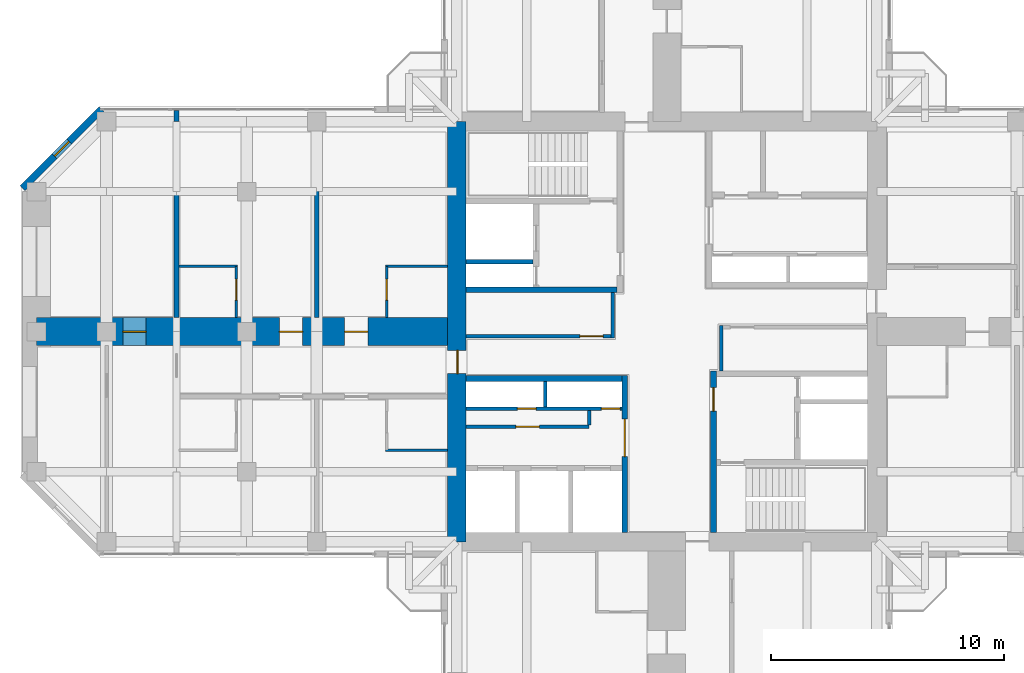
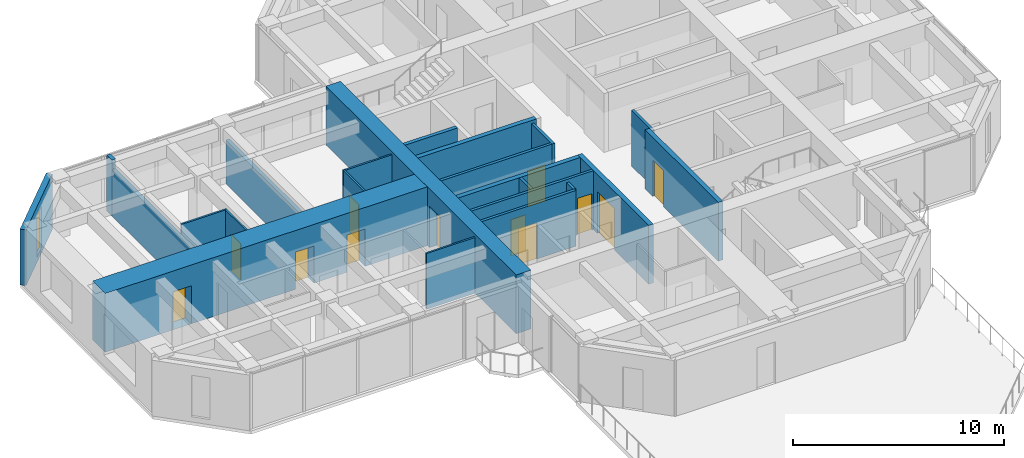
# One storey, part 9 of 14: 23 walls, 12 doors, 1 window, 13 openings.
"""IFC4 building model written with IfcOpenShell, lengths in metres."""

from ifc_helpers import new_model, si_unit, direction, frame, frame_2d, origin, place, context, subcontext, project, spatial, rectangle, hollow_rectangle, extrude, material, layer, layer_set, constituent, constituent_set, type_object, element, fill, save


model = new_model("IFC4")

# Units and contexts
model_context = context("Model", 3, precision=1e-05, world=origin(), true_north=direction((0.0, 1.0)))
body_context = subcontext(model_context, "Body", "Model", "MODEL_VIEW")
ifc_project = project(units=[si_unit("LENGTHUNIT", "METRE"), si_unit("AREAUNIT", "SQUARE_METRE"), si_unit("VOLUMEUNIT", "CUBIC_METRE"), si_unit("PLANEANGLEUNIT", "RADIAN"), si_unit("MASSUNIT", "GRAM", prefix="KILO")], contexts=[model_context])

# Site, building, storey
site_placement = place(None, origin())
site = spatial("IfcSite", under=ifc_project, at=site_placement, CompositionType="ELEMENT")
building_placement = place(site_placement, origin())
building = spatial("IfcBuilding", under=site, at=building_placement, Name="Torre Cruceta", CompositionType="ELEMENT")
storey_placement = place(building_placement, frame((0.0, 0.0, 222.10009765625)))
storey = spatial("IfcBuildingStorey", under=building, at=storey_placement, Name="L56", CompositionType="ELEMENT", Elevation=222.10009765625)

# Walls
ifc_material_1 = material(Name="Water-resistant plasterboard on steel studs", Category="steel")
ifc_layer_1 = layer(ifc_material_1, 0.10009765625)
ifc_layer_set_1 = layer_set([ifc_layer_1], Name="Water-resistant plasterboard on steel studs")
wall_type_1 = type_object("IfcWallType", Name="BATHROOM WALL 100", PredefinedType="PARTITIONING", material=ifc_layer_set_1)
for number, where, z_axis, x_axis, name in (
    (1, (-9.39990234375, -5.074951171875, 0.0), (0.0, 0.0, 1.0), (-1.0, 0.0, 0.0), "PT4 L56-W-U1LBB"),
    (2, (-9.39990234375, 2.800048828125, 0.0), (0.0, 0.0, 1.0), (-1.0, 0.0, 0.0), "PT4 L56-W-U1RBB"),
):
    element("IfcWall", number, at=place(storey_placement, frame(where, z_axis=z_axis, x_axis=x_axis)), inside=storey, type_object=wall_type_1, Name=name, PredefinedType="PARTITIONING", context=body_context, shape_type="SweptSolid", body=[
        extrude(rectangle(XDim=2.650146484375, YDim=0.10009765625, at=frame_2d((1.3251953125, 0.0))), origin(), (0.0, 0.0, 1.0), 3.219970703125),
    ])

# Wall, opening, door
wall_1_placement = place(storey_placement, frame((-12.0, 2.800048828125, 0.0), z_axis=(0.0, 0.0, 1.0), x_axis=(0.0, -1.0, 0.0)))
wall_1 = element("IfcWall", 3, at=wall_1_placement, inside=storey, type_object=wall_type_1, Name="PT4 L56-W-U1RBS", PredefinedType="PARTITIONING", context=body_context, shape_type="SweptSolid", body=[
    extrude(rectangle(XDim=2.199951171875, YDim=0.10009765625, at=frame_2d((1.10009765625, 0.0))), origin(), (0.0, 0.0, 1.0), 3.219970703125),
])
opening_1_placement = place(wall_1_placement, frame((0.550048828125, 0.0, 0.0)))
opening_1 = element("IfcOpeningElement", 4, at=opening_1_placement, cuts=wall_1, Name="Opening D7", PredefinedType="OPENING", context=body_context, shape_type="SweptSolid", body=[
    extrude(rectangle(XDim=0.89990234375, YDim=2.10009765625, at=frame_2d((0.449951171875, 1.050048828125))), frame((0.0, 0.06005859375, 0.0), z_axis=(0.0, -1.0, 0.0), x_axis=(1.0, 0.0, 0.0)), (0.0, 0.0, 1.0), 0.1201171875),
])
ifc_material_2 = material(Name="Timber door", Category="wood")
door_type_1 = type_object("IfcDoorType", Name="BATHROOM DOOR 900X2100", OperationType="SINGLE_SWING_LEFT", PredefinedType="DOOR", material=ifc_material_2)
door_1_placement = place(opening_1_placement, origin())
door_1 = element("IfcDoor", 5, at=door_1_placement, inside=storey, type_object=door_type_1, Name="D7 L56-W-U1RBS-D1", OperationType="SINGLE_SWING_LEFT", OverallHeight=2.10009765625, OverallWidth=0.89990234375, PredefinedType="DOOR", context=body_context, shape_type="SweptSolid", body=[
    extrude(rectangle(XDim=0.89990234375, YDim=2.10009765625, at=frame_2d((0.449951171875, 1.050048828125))), frame((0.0, 0.02490234375, 0.0), z_axis=(0.0, -1.0, 0.0), x_axis=(1.0, 0.0, 0.0)), (0.0, 0.0, 1.0), 0.050048828125),
])
fill(opening_1, door_1)

# Wall
wall_2_placement = place(storey_placement, frame((-18.39990234375, 2.800048828125, 0.0), z_axis=(0.0, 0.0, 1.0), x_axis=(-1.0, 0.0, 0.0)))
element("IfcWall", 6, at=wall_2_placement, inside=storey, type_object=wall_type_1, Name="PT4 L56-W-U2RBB", PredefinedType="PARTITIONING", context=body_context, shape_type="SweptSolid", body=[
    extrude(rectangle(XDim=2.5, YDim=0.10009765625, at=frame_2d((1.25, 0.0))), origin(), (0.0, 0.0, 1.0), 3.219970703125),
])

# Wall, opening, door
wall_3_placement = place(storey_placement, frame((-18.449951171875, 2.800048828125, 0.0), z_axis=(0.0, 0.0, 1.0), x_axis=(0.0, -1.0, 0.0)))
wall_3 = element("IfcWall", 7, at=wall_3_placement, inside=storey, type_object=wall_type_1, Name="PT4 L56-W-U2RBS", PredefinedType="PARTITIONING", context=body_context, shape_type="SweptSolid", body=[
    extrude(rectangle(XDim=2.199951171875, YDim=0.10009765625, at=frame_2d((1.10009765625, 0.0))), origin(), (0.0, 0.0, 1.0), 3.219970703125),
])
opening_2_placement = place(wall_3_placement, frame((0.550048828125, 0.0, 0.0)))
opening_2 = element("IfcOpeningElement", 8, at=opening_2_placement, cuts=wall_3, Name="Opening D7", PredefinedType="OPENING", context=body_context, shape_type="SweptSolid", body=[
    extrude(rectangle(XDim=0.89990234375, YDim=2.10009765625, at=frame_2d((0.449951171875, 1.050048828125))), frame((0.0, 0.06005859375, 0.0), z_axis=(0.0, -1.0, 0.0), x_axis=(1.0, 0.0, 0.0)), (0.0, 0.0, 1.0), 0.1201171875),
])
door_2_placement = place(opening_2_placement, frame((0.89990234375, 0.0, 0.0), z_axis=(0.0, 0.0, 1.0), x_axis=(-1.0, 0.0, 0.0)))
door_2 = element("IfcDoor", 9, at=door_2_placement, inside=storey, type_object=door_type_1, Name="D7 L56-W-U2RBS-D1", OperationType="SINGLE_SWING_RIGHT", OverallHeight=2.10009765625, OverallWidth=0.89990234375, PredefinedType="DOOR", context=body_context, shape_type="SweptSolid", body=[
    extrude(rectangle(XDim=0.89990234375, YDim=2.10009765625, at=frame_2d((0.449951171875, 1.050048828125))), frame((0.0, 0.025146484375, 0.0), z_axis=(0.0, -1.0, 0.0), x_axis=(1.0, 0.0, 0.0)), (0.0, 0.0, 1.0), 0.050048828125),
])
fill(opening_2, door_2)

# Wall
ifc_material_3 = material(Name="Concrete G60 (fck 60 MPa)", Category="concrete")
ifc_layer_2 = layer(ifc_material_3, 0.25)
ifc_layer_set_2 = layer_set([ifc_layer_2], Name="Concrete G60 (fck 60 MPa)")
wall_type_2 = type_object("IfcWallType", Name="CORE INNER WALL 250 G60", PredefinedType="SHEAR", material=ifc_layer_set_2)
wall_4_placement = place(storey_placement, frame((-2.125, 1.800048828125, 0.0), z_axis=(0.0, 0.0, 1.0), x_axis=(-1.0, 0.0, 0.0)))
element("IfcWall", 10, at=wall_4_placement, inside=storey, type_object=wall_type_2, Name="CW4 L56 NW-CV", PredefinedType="SHEAR", context=body_context, shape_type="SweptSolid", body=[
    extrude(rectangle(XDim=6.47509765625, YDim=0.25, at=frame_2d((3.237548828125, 0.0))), origin(), (0.0, 0.0, 1.0), 3.39990234375),
])

# Wall, opening, door
wall_5_placement = place(storey_placement, frame((-1.800048828125, -1.875, 0.0), z_axis=(0.0, 0.0, 1.0), x_axis=(0.0, -1.0, 0.0)))
wall_5 = element("IfcWall", 11, at=wall_5_placement, inside=storey, type_object=wall_type_2, Name="CW4 L56 SW-CU", PredefinedType="SHEAR", context=body_context, shape_type="SweptSolid", body=[
    extrude(rectangle(XDim=6.72509765625, YDim=0.25, at=frame_2d((3.362548828125, 0.0))), origin(), (0.0, 0.0, 1.0), 3.39990234375),
])
opening_3_placement = place(wall_5_placement, frame((1.875, 0.0, 0.0)))
opening_3 = element("IfcOpeningElement", 12, at=opening_3_placement, cuts=wall_5, Name="Opening D8", PredefinedType="OPENING", context=body_context, shape_type="SweptSolid", body=[
    extrude(rectangle(XDim=1.60009765625, YDim=2.39990234375, at=frame_2d((0.800048828125, 1.199951171875))), frame((0.0, 0.135009765625, 0.0), z_axis=(0.0, -1.0, 0.0), x_axis=(1.0, 0.0, 0.0)), (0.0, 0.0, 1.0), 0.27001953125),
])
ifc_material_4 = material(Name="Steel DX51D", Category="steel")
ifc_constituent_1 = constituent(ifc_material_4, Name="Leaf and frame")
ifc_material_5 = material(Name="Polyester powder coating", Category="paint")
ifc_constituent_2 = constituent(ifc_material_5, Name="Finish")
ifc_material_6 = material(Name="Fire-resisting glass", Category="glass")
ifc_constituent_3 = constituent(ifc_material_6, Name="Vision panel")
ifc_constituent_set_1 = constituent_set(constituents=[ifc_constituent_1, ifc_constituent_2, ifc_constituent_3], Name="Steel fire door with vision panels")
door_type_2 = type_object("IfcDoorType", Name="LIFT LOBBY DOUBLE DOOR 1600X2400", OperationType="DOUBLE_DOOR_DOUBLE_SWING", PredefinedType="DOOR", material=ifc_constituent_set_1)
door_3_placement = place(opening_3_placement, origin())
door_3 = element("IfcDoor", 13, at=door_3_placement, inside=storey, type_object=door_type_2, Name="D8 L56 SW-LOBBY", OperationType="DOUBLE_DOOR_DOUBLE_SWING", OverallHeight=2.39990234375, OverallWidth=1.60009765625, PredefinedType="DOOR", context=body_context, shape_type="SweptSolid", body=[
    extrude(rectangle(XDim=1.60009765625, YDim=2.39990234375, at=frame_2d((0.800048828125, 1.199951171875))), frame((0.0, 0.02490234375, 0.0), z_axis=(0.0, -1.0, 0.0), x_axis=(1.0, 0.0, 0.0)), (0.0, 0.0, 1.0), 0.050048828125),
])
fill(opening_3, door_3)

# Wall
wall_6_placement = place(storey_placement, frame((-1.925048828125, -2.0, 0.0), z_axis=(0.0, 0.0, 1.0), x_axis=(-1.0, 0.0, 0.0)))
element("IfcWall", 14, at=wall_6_placement, inside=storey, type_object=wall_type_2, Name="CW4 L56 SW-CV", PredefinedType="SHEAR", context=body_context, shape_type="SweptSolid", body=[
    extrude(rectangle(XDim=6.675048828125, YDim=0.25, at=frame_2d((3.33740234375, 0.0))), origin(), (0.0, 0.0, 1.0), 3.39990234375),
])

# Wall, opening, door
wall_7_placement = place(storey_placement, frame((2.0, -1.675048828125, 0.0), z_axis=(0.0, 0.0, 1.0), x_axis=(0.0, -1.0, 0.0)))
wall_7 = element("IfcWall", 15, at=wall_7_placement, inside=storey, type_object=wall_type_2, Name="CW4 L56 SE-CU", PredefinedType="SHEAR", context=body_context, shape_type="SweptSolid", body=[
    extrude(rectangle(XDim=6.925048828125, YDim=0.25, at=frame_2d((3.46240234375, 0.0))), origin(), (0.0, 0.0, 1.0), 3.39990234375),
])
opening_4_placement = place(wall_7_placement, frame((0.72509765625, 0.0, 0.0)))
opening_4 = element("IfcOpeningElement", 16, at=opening_4_placement, cuts=wall_7, Name="Opening D3", PredefinedType="OPENING", context=body_context, shape_type="SweptSolid", body=[
    extrude(rectangle(XDim=1.0, YDim=2.10009765625, at=frame_2d((0.5, 1.050048828125))), frame((0.0, 0.135009765625, 0.0), z_axis=(0.0, -1.0, 0.0), x_axis=(1.0, 0.0, 0.0)), (0.0, 0.0, 1.0), 0.27001953125),
])
ifc_material_7 = material(Name="Steel DX51D", Category="steel")
ifc_constituent_4 = constituent(ifc_material_7, Name="Leaf and frame")
ifc_material_8 = material(Name="Polyester powder coating", Category="paint")
ifc_constituent_5 = constituent(ifc_material_8, Name="Finish")
ifc_constituent_set_2 = constituent_set(constituents=[ifc_constituent_4, ifc_constituent_5], Name="Steel fire door")
door_type_3 = type_object("IfcDoorType", Name="FIRE DOOR 1000X2100", OperationType="SINGLE_SWING_LEFT", PredefinedType="DOOR", material=ifc_constituent_set_2)
door_4_placement = place(opening_4_placement, origin())
door_4 = element("IfcDoor", 17, at=door_4_placement, inside=storey, type_object=door_type_3, Name="D3 L56 SE-LOBBY", OperationType="SINGLE_SWING_LEFT", OverallHeight=2.10009765625, OverallWidth=1.0, PredefinedType="DOOR", context=body_context, shape_type="SweptSolid", body=[
    extrude(rectangle(XDim=1.0, YDim=2.10009765625, at=frame_2d((0.5, 1.050048828125))), frame((0.0, 0.02490234375, 0.0), z_axis=(0.0, -1.0, 0.0), x_axis=(1.0, 0.0, 0.0)), (0.0, 0.0, 1.0), 0.050048828125),
])
fill(opening_4, door_4)

ifc_material_9 = material(Name="Concrete G60 (fck 60 MPa)", Category="concrete")
ifc_layer_3 = layer(ifc_material_9, 0.800048828125)
ifc_layer_set_3 = layer_set([ifc_layer_3], Name="Concrete G60 (fck 60 MPa)")
wall_type_3 = type_object("IfcWallType", Name="CORE WALL 800 G60", PredefinedType="SHEAR", material=ifc_layer_set_3)
wall_8_placement = place(storey_placement, frame((-9.0, 9.0, 0.0), z_axis=(0.0, 0.0, 1.0), x_axis=(0.0, -1.0, 0.0)))
wall_8 = element("IfcWall", 18, at=wall_8_placement, inside=storey, type_object=wall_type_3, Name="CW3 L56 CW-W", PredefinedType="SHEAR", context=body_context, shape_type="SweptSolid", body=[
    extrude(rectangle(XDim=18.0, YDim=0.800048828125, at=frame_2d((9.0, 0.0))), origin(), (0.0, 0.0, 1.0), 3.39990234375),
])
opening_5_placement = place(wall_8_placement, frame((9.800048828125, 0.0, 0.0)))
opening_5 = element("IfcOpeningElement", 19, at=opening_5_placement, cuts=wall_8, Name="Opening D4", PredefinedType="OPENING", context=body_context, shape_type="SweptSolid", body=[
    extrude(rectangle(XDim=1.0, YDim=2.39990234375, at=frame_2d((0.5, 1.199951171875))), frame((0.0, 0.409912109375, 0.0), z_axis=(0.0, -1.0, 0.0), x_axis=(1.0, 0.0, 0.0)), (0.0, 0.0, 1.0), 0.820068359375),
])
ifc_material_10 = material(Name="Steel DX51D", Category="steel")
ifc_constituent_6 = constituent(ifc_material_10, Name="Leaf and frame")
ifc_material_11 = material(Name="Polyester powder coating", Category="paint")
ifc_constituent_7 = constituent(ifc_material_11, Name="Finish")
ifc_constituent_set_3 = constituent_set(constituents=[ifc_constituent_6, ifc_constituent_7], Name="Steel fire door")
door_type_4 = type_object("IfcDoorType", Name="CORE ARM DOOR 1000X2400", OperationType="SINGLE_SWING_RIGHT", PredefinedType="DOOR", material=ifc_constituent_set_3)
door_5_placement = place(opening_5_placement, origin())
door_5 = element("IfcDoor", 20, at=door_5_placement, inside=storey, type_object=door_type_4, Name="D4 L56 CW-W", OperationType="SINGLE_SWING_RIGHT", OverallHeight=2.39990234375, OverallWidth=1.0, PredefinedType="DOOR", context=body_context, shape_type="SweptSolid", body=[
    extrude(rectangle(XDim=1.0, YDim=2.39990234375, at=frame_2d((0.5, 1.199951171875))), frame((0.0, 0.05517578125, 0.0), z_axis=(0.0, -1.0, 0.0), x_axis=(1.0, 0.0, 0.0)), (0.0, 0.0, 1.0), 0.050048828125),
])
fill(opening_5, door_5)

# Wall, opening, window
ifc_material_12 = material(Name="Concrete G30 (fck 30 MPa)", Category="concrete")
ifc_layer_4 = layer(ifc_material_12, 0.300048828125)
ifc_layer_set_4 = layer_set([ifc_layer_4], Name="Concrete G30 (fck 30 MPa)")
wall_type_4 = type_object("IfcWallType", Name="EXPOSED CONCRETE FACADE WALL 300", PredefinedType="SOLIDWALL", material=ifc_layer_set_4)
wall_9_placement = place(storey_placement, frame((-24.21533203125, 9.52001953125, 0.0), z_axis=(0.0, 0.0, 1.0), x_axis=(-0.707132283189, -0.707081278264, 0.0)))
wall_9 = element("IfcWall", 21, at=wall_9_placement, inside=storey, type_object=wall_type_4, Name="EW1 facade wall L56 W chamfer 11", PredefinedType="SOLIDWALL", context=body_context, shape_type="SweptSolid", body=[
    extrude(rectangle(XDim=4.78662109375, YDim=0.300048828125, at=frame_2d((2.393310546875, 0.0))), origin(), (0.0, 0.0, 1.0), 3.219970703125),
])
opening_6_placement = place(wall_9_placement, frame((1.943359375, 0.0, 0.300048828125)))
opening_6 = element("IfcOpeningElement", 22, at=opening_6_placement, cuts=wall_9, Name="Opening WN5", PredefinedType="OPENING", context=body_context, shape_type="SweptSolid", body=[
    extrude(rectangle(XDim=0.89990234375, YDim=2.39990234375, at=frame_2d((0.449951171875, 1.199951171875))), frame((0.0, 0.159912109375, 0.0), z_axis=(0.0, -1.0, 0.0), x_axis=(1.0, 0.0, 0.0)), (0.0, 0.0, 1.0), 0.320068359375),
])
ifc_material_13 = material(Name="Aluminium window frame", Category="aluminium")
ifc_constituent_8 = constituent(ifc_material_13, Name="Frame")
ifc_material_14 = material(Name="Laminated insulating glass unit, low-iron clear", Category="glass")
ifc_constituent_9 = constituent(ifc_material_14, Name="Glazing")
ifc_constituent_set_4 = constituent_set(constituents=[ifc_constituent_8, ifc_constituent_9], Name="Aluminium window")
window_type = type_object("IfcWindowType", Name="CHAMFER SLOT WINDOW 900X2400", PartitioningType="SINGLE_PANEL", PredefinedType="WINDOW", material=ifc_constituent_set_4)
window_placement = place(opening_6_placement, origin())
window = element("IfcWindow", 23, at=window_placement, inside=storey, type_object=window_type, Name="WN5 L56 W 1", OverallHeight=2.39990234375, OverallWidth=0.89990234375, PartitioningType="SINGLE_PANEL", PredefinedType="WINDOW", context=body_context, shape_type="SweptSolid", body=[
    extrude(hollow_rectangle(XDim=0.89990234375, YDim=2.39990234375, WallThickness=0.06005859375, at=frame_2d((0.449951171875, 1.199951171875))), frame((0.0, 0.030029296875, 0.0), z_axis=(0.0, -1.0, 0.0), x_axis=(1.0, 0.0, 0.0)), (0.0, 0.0, 1.0), 0.06005859375),
    extrude(rectangle(XDim=0.77880859375, YDim=2.27880859375, at=frame_2d((0.449951171875, 1.199951171875))), frame((0.0, 0.030029296875, 0.0), z_axis=(0.0, -1.0, 0.0), x_axis=(1.0, 0.0, 0.0)), (0.0, 0.0, 1.0), 0.06005859375),
])
fill(opening_6, window)

# Walls
ifc_material_15 = material(Name="Concrete G35 (fck 35 MPa)", Category="concrete")
ifc_layer_5 = layer(ifc_material_15, 0.199951171875)
ifc_layer_set_5 = layer_set([ifc_layer_5], Name="Concrete G35 (fck 35 MPa)")
wall_type_5 = type_object("IfcWallType", Name="LIFT SHAFT WALL 200", PredefinedType="PARTITIONING", material=ifc_layer_set_5)
wall_10_placement = place(storey_placement, frame((-5.72509765625, 3.0, 0.0), z_axis=(0.0, 0.0, 1.0), x_axis=(-1.0, 0.0, 0.0)))
element("IfcWall", 24, at=wall_10_placement, inside=storey, type_object=wall_type_5, Name="SW1 L56 NW-FR", PredefinedType="PARTITIONING", context=body_context, shape_type="SweptSolid", body=[
    extrude(rectangle(XDim=2.875, YDim=0.199951171875, at=frame_2d((1.4375, 0.0))), origin(), (0.0, 0.0, 1.0), 3.39990234375),
])
ifc_material_16 = material(Name="Plasterboard on steel studs", Category="steel")
ifc_layer_6 = layer(ifc_material_16, 0.14990234375)
ifc_layer_set_6 = layer_set([ifc_layer_6], Name="Plasterboard on steel studs")
wall_type_6 = type_object("IfcWallType", Name="PARTITION 150", PredefinedType="PARTITIONING", material=ifc_layer_set_6)
wall_11_placement = place(storey_placement, frame((2.324951171875, -1.675048828125, 0.0), z_axis=(0.0, 0.0, 1.0), x_axis=(0.0, 1.0, 0.0)))
element("IfcWall", 25, at=wall_11_placement, inside=storey, type_object=wall_type_6, Name="PT1 L56-CORE-LEGE-S-W2", PredefinedType="PARTITIONING", context=body_context, shape_type="SweptSolid", body=[
    extrude(rectangle(XDim=1.949951171875, YDim=0.14990234375, at=frame_2d((0.97509765625, 0.0))), origin(), (0.0, 0.0, 1.0), 3.219970703125),
])

# Wall, opening, door
wall_12_placement = place(storey_placement, frame((-2.324951171875, -0.199951171875, 0.0), z_axis=(0.0, 0.0, 1.0), x_axis=(-1.0, 0.0, 0.0)))
wall_12 = element("IfcWall", 26, at=wall_12_placement, inside=storey, type_object=wall_type_6, Name="PT1 L56-CORE-LEGW-N-W1", PredefinedType="PARTITIONING", context=body_context, shape_type="SweptSolid", body=[
    extrude(rectangle(XDim=6.275146484375, YDim=0.14990234375, at=frame_2d((3.1376953125, 0.0))), origin(), (0.0, 0.0, 1.0), 3.219970703125),
])
opening_7_placement = place(wall_12_placement, frame((0.39990234375, 0.0, 0.0)))
opening_7 = element("IfcOpeningElement", 27, at=opening_7_placement, cuts=wall_12, Name="Opening D3", PredefinedType="OPENING", context=body_context, shape_type="SweptSolid", body=[
    extrude(rectangle(XDim=1.0, YDim=2.10009765625, at=frame_2d((0.5, 1.050048828125))), frame((0.0, 0.0849609375, 0.0), z_axis=(0.0, -1.0, 0.0), x_axis=(1.0, 0.0, 0.0)), (0.0, 0.0, 1.0), 0.169921875),
])
door_6_placement = place(opening_7_placement, frame((1.0, 0.0, 0.0), z_axis=(0.0, 0.0, 1.0), x_axis=(-1.0, 0.0, 0.0)))
door_6 = element("IfcDoor", 28, at=door_6_placement, inside=storey, type_object=door_type_3, Name="D3 L56-CORE-LEGW-N-W1-D1", OperationType="SINGLE_SWING_RIGHT", OverallHeight=2.10009765625, OverallWidth=1.0, PredefinedType="DOOR", context=body_context, shape_type="SweptSolid", body=[
    extrude(rectangle(XDim=1.0, YDim=2.10009765625, at=frame_2d((0.5, 1.050048828125))), frame((0.0, 0.025146484375, 0.0), z_axis=(0.0, -1.0, 0.0), x_axis=(1.0, 0.0, 0.0)), (0.0, 0.0, 1.0), 0.050048828125),
])
fill(opening_7, door_6)

# Wall
wall_13_placement = place(storey_placement, frame((-2.324951171875, 1.675048828125, 0.0), z_axis=(0.0, 0.0, 1.0), x_axis=(0.0, -1.0, 0.0)))
element("IfcWall", 29, at=wall_13_placement, inside=storey, type_object=wall_type_6, Name="PT1 L56-CORE-LEGW-N-W2", PredefinedType="PARTITIONING", context=body_context, shape_type="SweptSolid", body=[
    extrude(rectangle(XDim=1.949951171875, YDim=0.14990234375, at=frame_2d((0.97509765625, 0.0))), origin(), (0.0, 0.0, 1.0), 3.219970703125),
])

# Wall, opening, door
wall_14_placement = place(storey_placement, frame((-3.324951171875, -4.074951171875, 0.0), z_axis=(0.0, 0.0, 1.0), x_axis=(-1.0, 0.0, 0.0)))
wall_14 = element("IfcWall", 30, at=wall_14_placement, inside=storey, type_object=wall_type_6, Name="PT1 L56-CORE-SW-CUPBOARD", PredefinedType="PARTITIONING", context=body_context, shape_type="SweptSolid", body=[
    extrude(rectangle(XDim=5.275146484375, YDim=0.14990234375, at=frame_2d((2.6376953125, 0.0))), origin(), (0.0, 0.0, 1.0), 3.219970703125),
])
opening_8_placement = place(wall_14_placement, frame((2.137451171875, 0.0, 0.0)))
opening_8 = element("IfcOpeningElement", 31, at=opening_8_placement, cuts=wall_14, Name="Opening D19", PredefinedType="OPENING", context=body_context, shape_type="SweptSolid", body=[
    extrude(rectangle(XDim=1.0, YDim=2.10009765625, at=frame_2d((0.5, 1.050048828125))), frame((0.0, 0.0849609375, 0.0), z_axis=(0.0, -1.0, 0.0), x_axis=(1.0, 0.0, 0.0)), (0.0, 0.0, 1.0), 0.169921875),
])
ifc_material_17 = material(Name="Timber fire door", Category="wood")
door_type_5 = type_object("IfcDoorType", Name="CUPBOARD PAIR OF DOORS 1000X2100", OperationType="DOUBLE_DOOR_SINGLE_SWING", PredefinedType="DOOR", material=ifc_material_17)
door_7_placement = place(opening_8_placement, frame((1.0, 0.0, 0.0), z_axis=(0.0, 0.0, 1.0), x_axis=(-1.0, 0.0, 0.0)))
door_7 = element("IfcDoor", 32, at=door_7_placement, inside=storey, type_object=door_type_5, Name="D19 L56-CORE-SW-CUPBOARD-D1", OperationType="DOUBLE_DOOR_SINGLE_SWING", OverallHeight=2.10009765625, OverallWidth=1.0, PredefinedType="DOOR", context=body_context, shape_type="SweptSolid", body=[
    extrude(rectangle(XDim=1.0, YDim=2.10009765625, at=frame_2d((0.5, 1.050048828125))), frame((0.0, 0.025146484375, 0.0), z_axis=(0.0, -1.0, 0.0), x_axis=(1.0, 0.0, 0.0)), (0.0, 0.0, 1.0), 0.050048828125),
])
fill(opening_8, door_7)

# Wall
wall_15_placement = place(storey_placement, frame((-3.324951171875, -3.375, 0.0), z_axis=(0.0, 0.0, 1.0), x_axis=(0.0, -1.0, 0.0)))
element("IfcWall", 33, at=wall_15_placement, inside=storey, type_object=wall_type_6, Name="PT1 L56-CORE-SW-CUPBOARDE", PredefinedType="PARTITIONING", context=body_context, shape_type="SweptSolid", body=[
    extrude(rectangle(XDim=0.625, YDim=0.14990234375, at=frame_2d((0.3125, 0.0))), origin(), (0.0, 0.0, 1.0), 3.219970703125),
])

# Wall, openings, doors
ifc_material_18 = material(Name="Concrete block masonry", Category="masonry")
ifc_layer_7 = layer(ifc_material_18, 0.14990234375)
ifc_layer_set_7 = layer_set([ifc_layer_7], Name="Concrete block masonry")
wall_type_7 = type_object("IfcWallType", Name="RISER WALL 150", PredefinedType="PARTITIONING", material=ifc_layer_set_7)
wall_16_placement = place(storey_placement, frame((-1.925048828125, -3.300048828125, 0.0), z_axis=(0.0, 0.0, 1.0), x_axis=(-1.0, 0.0, 0.0)))
wall_16 = element("IfcWall", 34, at=wall_16_placement, inside=storey, type_object=wall_type_7, Name="SW7 L56 SW-RV", PredefinedType="PARTITIONING", context=body_context, shape_type="SweptSolid", body=[
    extrude(rectangle(XDim=6.675048828125, YDim=0.14990234375, at=frame_2d((3.33740234375, 0.0))), origin(), (0.0, 0.0, 1.0), 3.39990234375),
])
opening_9_placement = place(wall_16_placement, frame((0.074951171875, 0.0, 0.0)))
opening_9 = element("IfcOpeningElement", 35, at=opening_9_placement, cuts=wall_16, Name="Opening D5", PredefinedType="OPENING", context=body_context, shape_type="SweptSolid", body=[
    extrude(rectangle(XDim=0.800048828125, YDim=2.10009765625, at=frame_2d((0.39990234375, 1.050048828125))), frame((0.0, 0.0849609375, 0.0), z_axis=(0.0, -1.0, 0.0), x_axis=(1.0, 0.0, 0.0)), (0.0, 0.0, 1.0), 0.169921875),
])
opening_10_placement = place(wall_16_placement, frame((3.675048828125, 0.0, 0.0)))
opening_10 = element("IfcOpeningElement", 36, at=opening_10_placement, cuts=wall_16, Name="Opening D5", PredefinedType="OPENING", context=body_context, shape_type="SweptSolid", body=[
    extrude(rectangle(XDim=0.800048828125, YDim=2.10009765625, at=frame_2d((0.39990234375, 1.050048828125))), frame((0.0, 0.0849609375, 0.0), z_axis=(0.0, -1.0, 0.0), x_axis=(1.0, 0.0, 0.0)), (0.0, 0.0, 1.0), 0.169921875),
])
ifc_material_19 = material(Name="Steel DX51D", Category="steel")
ifc_constituent_10 = constituent(ifc_material_19, Name="Leaf and frame")
ifc_material_20 = material(Name="Polyester powder coating", Category="paint")
ifc_constituent_11 = constituent(ifc_material_20, Name="Finish")
ifc_constituent_set_5 = constituent_set(constituents=[ifc_constituent_10, ifc_constituent_11], Name="Steel fire door")
door_type_6 = type_object("IfcDoorType", Name="RISER ACCESS DOOR 800X2100", OperationType="SINGLE_SWING_LEFT", PredefinedType="DOOR", material=ifc_constituent_set_5)
door_8_placement = place(opening_9_placement, frame((0.800048828125, 0.0, 0.0), z_axis=(0.0, 0.0, 1.0), x_axis=(-1.0, 0.0, 0.0)))
door_8 = element("IfcDoor", 37, at=door_8_placement, inside=storey, type_object=door_type_6, Name="D5 L56 SW-RISER1", OperationType="SINGLE_SWING_RIGHT", OverallHeight=2.10009765625, OverallWidth=0.800048828125, PredefinedType="DOOR", context=body_context, shape_type="SweptSolid", body=[
    extrude(rectangle(XDim=0.800048828125, YDim=2.10009765625, at=frame_2d((0.400146484375, 1.050048828125))), frame((0.0, 0.025146484375, 0.0), z_axis=(0.0, -1.0, 0.0), x_axis=(1.0, 0.0, 0.0)), (0.0, 0.0, 1.0), 0.050048828125),
])
fill(opening_9, door_8)
door_9_placement = place(opening_10_placement, frame((0.800048828125, 0.0, 0.0), z_axis=(0.0, 0.0, 1.0), x_axis=(-1.0, 0.0, 0.0)))
door_9 = element("IfcDoor", 38, at=door_9_placement, inside=storey, type_object=door_type_6, Name="D5 L56 SW-RISER2", OperationType="SINGLE_SWING_RIGHT", OverallHeight=2.10009765625, OverallWidth=0.800048828125, PredefinedType="DOOR", context=body_context, shape_type="SweptSolid", body=[
    extrude(rectangle(XDim=0.800048828125, YDim=2.10009765625, at=frame_2d((0.400146484375, 1.050048828125))), frame((0.0, 0.025146484375, 0.0), z_axis=(0.0, -1.0, 0.0), x_axis=(1.0, 0.0, 0.0)), (0.0, 0.0, 1.0), 0.050048828125),
])
fill(opening_10, door_9)

# Wall
wall_17_placement = place(storey_placement, frame((-5.199951171875, -2.125, 0.0), z_axis=(0.0, 0.0, 1.0), x_axis=(0.0, -1.0, 0.0)))
element("IfcWall", 39, at=wall_17_placement, inside=storey, type_object=wall_type_7, Name="SW7 L56 SW-RU", PredefinedType="PARTITIONING", context=body_context, shape_type="SweptSolid", body=[
    extrude(rectangle(XDim=1.10009765625, YDim=0.14990234375, at=frame_2d((0.550048828125, 0.0))), origin(), (0.0, 0.0, 1.0), 3.39990234375),
])

# Wall, openings, doors
ifc_material_21 = material(Name="Concrete G60 (fck 60 MPa)", Category="concrete")
ifc_layer_8 = layer(ifc_material_21, 1.199951171875)
ifc_layer_set_8 = layer_set([ifc_layer_8], Name="Concrete G60 (fck 60 MPa)")
wall_type_8 = type_object("IfcWallType", Name="SPINE WALL 1200 G60", PredefinedType="SHEAR", material=ifc_layer_set_8)
wall_18_placement = place(storey_placement, frame((-9.0, 0.0, 0.0), z_axis=(0.0, 0.0, 1.0), x_axis=(-1.0, 0.0, 0.0)))
wall_18 = element("IfcWall", 40, at=wall_18_placement, inside=storey, type_object=wall_type_8, Name="SW3 spine wall L56 W", PredefinedType="SHEAR", context=body_context, shape_type="SweptSolid", body=[
    extrude(rectangle(XDim=18.0, YDim=1.199951171875, at=frame_2d((9.0, 0.0))), origin(), (0.0, 0.0, 1.0), 3.39990234375),
])
opening_11_placement = place(wall_18_placement, frame((3.800048828125, 0.0, 0.0)))
opening_11 = element("IfcOpeningElement", 41, at=opening_11_placement, cuts=wall_18, Name="Opening D6", PredefinedType="OPENING", context=body_context, shape_type="SweptSolid", body=[
    extrude(rectangle(XDim=1.0, YDim=2.14990234375, at=frame_2d((0.5, 1.074951171875))), frame((0.0, 0.60986328125, 0.0), z_axis=(0.0, -1.0, 0.0), x_axis=(1.0, 0.0, 0.0)), (0.0, 0.0, 1.0), 1.219970703125),
])
opening_12_placement = place(wall_18_placement, frame((6.60009765625, 0.0, 0.0)))
opening_12 = element("IfcOpeningElement", 42, at=opening_12_placement, cuts=wall_18, Name="Opening D6", PredefinedType="OPENING", context=body_context, shape_type="SweptSolid", body=[
    extrude(rectangle(XDim=1.0, YDim=2.14990234375, at=frame_2d((0.5, 1.074951171875))), frame((0.0, 0.60986328125, 0.0), z_axis=(0.0, -1.0, 0.0), x_axis=(1.0, 0.0, 0.0)), (0.0, 0.0, 1.0), 1.219970703125),
])
opening_13_placement = place(wall_18_placement, frame((13.300048828125, 0.0, 0.0)))
opening_13 = element("IfcOpeningElement", 43, at=opening_13_placement, cuts=wall_18, Name="Opening D14", PredefinedType="OPENING", context=body_context, shape_type="SweptSolid", body=[
    extrude(rectangle(XDim=1.0, YDim=2.199951171875, at=frame_2d((0.5, 1.10009765625))), frame((0.0, 0.60986328125, 0.0), z_axis=(0.0, -1.0, 0.0), x_axis=(1.0, 0.0, 0.0)), (0.0, 0.0, 1.0), 1.219970703125),
])
ifc_material_22 = material(Name="Steel DX51D", Category="steel")
ifc_constituent_12 = constituent(ifc_material_22, Name="Leaf and frame")
ifc_material_23 = material(Name="Polyester powder coating", Category="paint")
ifc_constituent_13 = constituent(ifc_material_23, Name="Finish")
ifc_material_24 = material(Name="Fire-resisting glass", Category="glass")
ifc_constituent_14 = constituent(ifc_material_24, Name="Vision panel")
ifc_constituent_set_6 = constituent_set(constituents=[ifc_constituent_12, ifc_constituent_13, ifc_constituent_14], Name="Steel fire door with vision panel")
door_type_7 = type_object("IfcDoorType", Name="FIRE DOOR VISION PANEL 1000X2200", OperationType="SINGLE_SWING_RIGHT", PredefinedType="DOOR", material=ifc_constituent_set_6)
door_10_placement = place(opening_13_placement, origin())
door_10 = element("IfcDoor", 44, at=door_10_placement, inside=storey, type_object=door_type_7, Name="D14 L56-W-SP3", OperationType="SINGLE_SWING_RIGHT", OverallHeight=2.199951171875, OverallWidth=1.0, PredefinedType="DOOR", context=body_context, shape_type="SweptSolid", body=[
    extrude(rectangle(XDim=1.0, YDim=2.199951171875, at=frame_2d((0.5, 1.10009765625))), frame((0.0, 0.02490234375, 0.0), z_axis=(0.0, -1.0, 0.0), x_axis=(1.0, 0.0, 0.0)), (0.0, 0.0, 1.0), 0.050048828125),
])
fill(opening_13, door_10)
ifc_material_25 = material(Name="Timber fire door", Category="wood")
door_type_8 = type_object("IfcDoorType", Name="UNIT ENTRANCE DOOR 1000X2150", OperationType="SINGLE_SWING_LEFT", PredefinedType="DOOR", material=ifc_material_25)
door_11_placement = place(opening_11_placement, frame((1.0, 0.0, 0.0), z_axis=(0.0, 0.0, 1.0), x_axis=(-1.0, 0.0, 0.0)))
door_11 = element("IfcDoor", 45, at=door_11_placement, inside=storey, type_object=door_type_8, Name="D6 L56-W-SP1", OperationType="SINGLE_SWING_RIGHT", OverallHeight=2.14990234375, OverallWidth=1.0, PredefinedType="DOOR", context=body_context, shape_type="SweptSolid", body=[
    extrude(rectangle(XDim=1.0, YDim=2.14990234375, at=frame_2d((0.5, 1.074951171875))), frame((0.0, 0.025146484375, 0.0), z_axis=(0.0, -1.0, 0.0), x_axis=(1.0, 0.0, 0.0)), (0.0, 0.0, 1.0), 0.050048828125),
])
fill(opening_11, door_11)
door_12_placement = place(opening_12_placement, frame((1.0, 0.0, 0.0), z_axis=(0.0, 0.0, 1.0), x_axis=(-1.0, 0.0, 0.0)))
door_12 = element("IfcDoor", 46, at=door_12_placement, inside=storey, type_object=door_type_8, Name="D6 L56-W-SP2", OperationType="SINGLE_SWING_RIGHT", OverallHeight=2.14990234375, OverallWidth=1.0, PredefinedType="DOOR", context=body_context, shape_type="SweptSolid", body=[
    extrude(rectangle(XDim=1.0, YDim=2.14990234375, at=frame_2d((0.5, 1.074951171875))), frame((0.0, 0.025146484375, 0.0), z_axis=(0.0, -1.0, 0.0), x_axis=(1.0, 0.0, 0.0)), (0.0, 0.0, 1.0), 0.050048828125),
])
fill(opening_12, door_12)

# Walls
ifc_material_26 = material(Name="Concrete G25 (fck 25 MPa)", Category="concrete")
ifc_layer_9 = layer(ifc_material_26, 0.199951171875)
ifc_layer_set_9 = layer_set([ifc_layer_9], Name="Concrete G25 (fck 25 MPa)")
wall_type_9 = type_object("IfcWallType", Name="UNIT SEPARATING WALL 200", PredefinedType="SOLIDWALL", material=ifc_layer_set_9)
wall_19_placement = place(storey_placement, frame((-15.0, 8.60009765625, 0.0), z_axis=(0.0, 0.0, 1.0), x_axis=(0.0, -1.0, 0.0)))
element("IfcWall", 47, at=wall_19_placement, inside=storey, type_object=wall_type_9, Name="PT2 L56-W-P1R", PredefinedType="SOLIDWALL", context=body_context, shape_type="SweptSolid", body=[
    extrude(rectangle(XDim=8.0, YDim=0.199951171875, at=frame_2d((4.0, 0.0))), origin(), (0.0, 0.0, 1.0), 2.52001953125),
])
wall_20_placement = place(storey_placement, frame((-21.0, 9.47998046875, 0.0), z_axis=(0.0, 0.0, 1.0), x_axis=(0.0, -1.0, 0.0)))
element("IfcWall", 48, at=wall_20_placement, inside=storey, type_object=wall_type_9, Name="PT2 L56-W-ENDa", PredefinedType="SOLIDWALL", context=body_context, shape_type="SweptSolid", body=[
    extrude(rectangle(XDim=0.47998046875, YDim=0.199951171875, at=frame_2d((0.239990234375, 0.0))), origin(), (0.0, 0.0, 1.0), 3.219970703125),
])
wall_21_placement = place(storey_placement, frame((-21.0, 9.0, 0.0), z_axis=(0.0, 0.0, 1.0), x_axis=(0.0, -1.0, 0.0)))
element("IfcWall", 49, at=wall_21_placement, inside=storey, type_object=wall_type_9, Name="PT2 L56-W-ENDa 2", PredefinedType="SOLIDWALL", context=body_context, shape_type="SweptSolid", body=[
    extrude(rectangle(XDim=8.39990234375, YDim=0.199951171875, at=frame_2d((4.199951171875, 0.0))), origin(), (0.0, 0.0, 1.0), 2.669921875),
])

save(model, "model.ifc")
